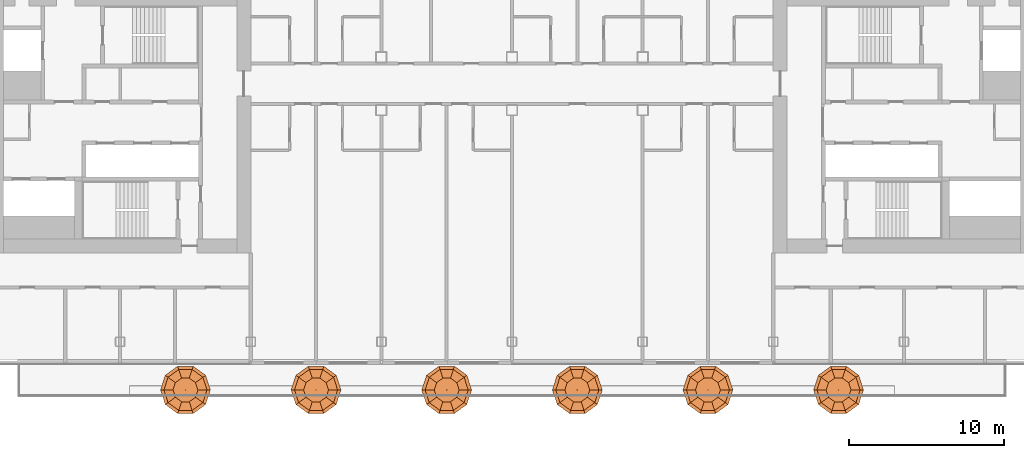
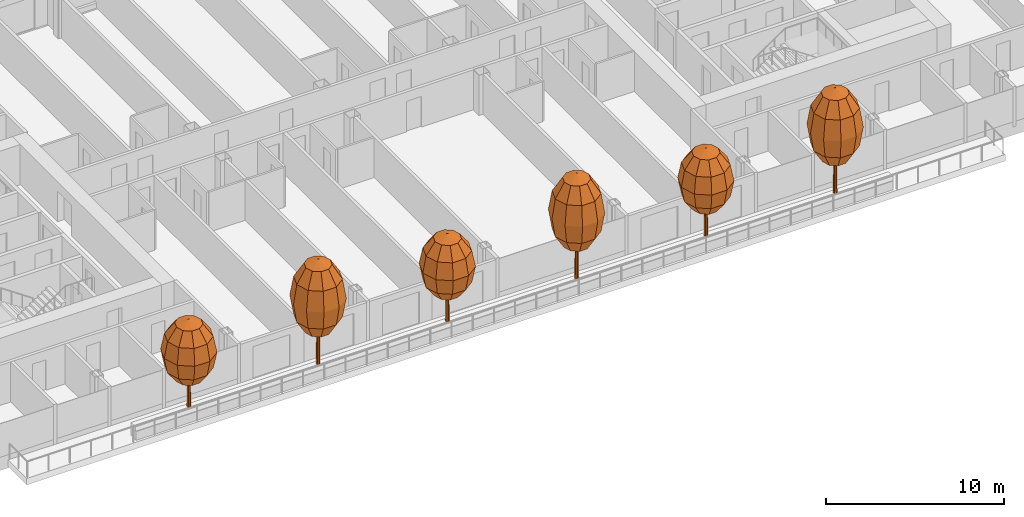
# One storey, part 28 of 29: 6 geographic elements.
"""IFC4 building model written with IfcOpenShell, lengths in metres."""

from ifc_helpers import new_model, si_unit, direction, frame, origin, place, context, subcontext, project, spatial, triangles, material, type_object, element, save


model = new_model("IFC4")

# Units and contexts
model_context = context("Model", 3, precision=1e-05, world=origin(), true_north=direction((0.0, 1.0)))
body_context = subcontext(model_context, "Body", "Model", "MODEL_VIEW")
ifc_project = project(units=[si_unit("LENGTHUNIT", "METRE"), si_unit("AREAUNIT", "SQUARE_METRE"), si_unit("VOLUMEUNIT", "CUBIC_METRE"), si_unit("PLANEANGLEUNIT", "RADIAN"), si_unit("MASSUNIT", "GRAM", prefix="KILO")], contexts=[model_context])

# Site, building, storey
site_placement = place(None, origin())
site = spatial("IfcSite", under=ifc_project, at=site_placement, CompositionType="ELEMENT")
building_placement = place(site_placement, origin())
building = spatial("IfcBuilding", under=site, at=building_placement, Name="Hakoniwa Tower and Hamabe Station Hall", CompositionType="ELEMENT")
storey_placement = place(building_placement, frame((0.0, 0.0, 205.800048828125)))
storey = spatial("IfcBuildingStorey", under=building, at=storey_placement, Name="L58", CompositionType="ELEMENT", Elevation=205.800048828125)

# Geographic elements
ifc_material_1 = material(Name="Tree foliage")
geographic_element_type_1 = type_object("IfcGeographicElementType", Name="Japanese maple 7.2 m", PredefinedType="USERDEFINED", material=ifc_material_1)
geographic_element_1_placement = place(storey_placement, frame((-12.60009765625, -17.199951171875, 0.89990234375)))
element("IfcGeographicElement", 1, at=geographic_element_1_placement, inside=storey, type_object=geographic_element_type_1, Name="Japanese maple 7-2 m", ObjectType="TREE", PredefinedType="USERDEFINED", context=body_context, shape_type="Tessellation", body=[
    triangles([(0.125, 0.0, 0.0), (0.08837890625, 0.08837890625, 0.0), (0.0, 0.125, 0.0), (-0.08837890625, 0.08837890625, 0.0), (-0.125, 0.0, 0.0), (-0.08837890625, -0.08837890625, 0.0), (0.0, -0.125, 0.0), (0.08837890625, -0.08837890625, 0.0), (0.074951171875, 0.0, 4.348876953125), (0.052978515625, 0.052978515625, 4.348876953125), (0.0, 0.074951171875, 4.348876953125), (-0.052978515625, 0.052978515625, 4.348876953125), (-0.074951171875, 0.0, 4.348876953125), (-0.052978515625, -0.052978515625, 4.348876953125), (0.0, -0.074951171875, 4.348876953125), (0.052978515625, -0.052978515625, 4.348876953125), (0.0, 0.0, 0.0), (0.0, 0.0, 4.348876953125)], [[1, 2, 10], [1, 10, 9], [17, 2, 1], [18, 9, 10], [2, 3, 11], [2, 11, 10], [17, 3, 2], [18, 10, 11], [3, 4, 12], [3, 12, 11], [17, 4, 3], [18, 11, 12], [4, 5, 13], [4, 13, 12], [17, 5, 4], [18, 12, 13], [5, 6, 14], [5, 14, 13], [17, 6, 5], [18, 13, 14], [6, 7, 15], [6, 15, 14], [17, 7, 6], [18, 14, 15], [7, 8, 16], [7, 16, 15], [17, 8, 7], [18, 15, 16], [8, 1, 9], [8, 9, 16], [17, 1, 8], [18, 16, 9]], closed=True),
    triangles([(0.0, 0.0, 2.015869140625), (0.800048828125, 0.0, 2.36328125), (0.647216796875, 0.47021484375, 2.36328125), (0.247314453125, 0.7607421875, 2.36328125), (-0.247314453125, 0.7607421875, 2.36328125), (-0.647216796875, 0.47021484375, 2.36328125), (-0.800048828125, 0.0, 2.36328125), (-0.647216796875, -0.47021484375, 2.36328125), (-0.247314453125, -0.7607421875, 2.36328125), (0.247314453125, -0.7607421875, 2.36328125), (0.647216796875, -0.47021484375, 2.36328125), (1.385498046875, 0.0, 3.31201171875), (1.12109375, 0.814453125, 3.31201171875), (0.42822265625, 1.31787109375, 3.31201171875), (-0.42822265625, 1.31787109375, 3.31201171875), (-1.12109375, 0.814453125, 3.31201171875), (-1.385498046875, 0.0, 3.31201171875), (-1.12109375, -0.814453125, 3.31201171875), (-0.42822265625, -1.31787109375, 3.31201171875), (0.42822265625, -1.31787109375, 3.31201171875), (1.12109375, -0.814453125, 3.31201171875), (1.60009765625, 0.0, 4.60791015625), (1.29443359375, 0.9404296875, 4.60791015625), (0.494384765625, 1.521728515625, 4.60791015625), (-0.494384765625, 1.521728515625, 4.60791015625), (-1.29443359375, 0.9404296875, 4.60791015625), (-1.60009765625, 0.0, 4.60791015625), (-1.29443359375, -0.9404296875, 4.60791015625), (-0.494384765625, -1.521728515625, 4.60791015625), (0.494384765625, -1.521728515625, 4.60791015625), (1.29443359375, -0.9404296875, 4.60791015625), (1.385498046875, 0.0, 5.904052734375), (1.12109375, 0.814453125, 5.904052734375), (0.42822265625, 1.31787109375, 5.904052734375), (-0.42822265625, 1.31787109375, 5.904052734375), (-1.12109375, 0.814453125, 5.904052734375), (-1.385498046875, 0.0, 5.904052734375), (-1.12109375, -0.814453125, 5.904052734375), (-0.42822265625, -1.31787109375, 5.904052734375), (0.42822265625, -1.31787109375, 5.904052734375), (1.12109375, -0.814453125, 5.904052734375), (0.800048828125, 0.0, 6.852783203125), (0.647216796875, 0.47021484375, 6.852783203125), (0.247314453125, 0.7607421875, 6.852783203125), (-0.247314453125, 0.7607421875, 6.852783203125), (-0.647216796875, 0.47021484375, 6.852783203125), (-0.800048828125, 0.0, 6.852783203125), (-0.647216796875, -0.47021484375, 6.852783203125), (-0.247314453125, -0.7607421875, 6.852783203125), (0.247314453125, -0.7607421875, 6.852783203125), (0.647216796875, -0.47021484375, 6.852783203125), (0.0, 0.0, 7.199951171875)], [[1, 3, 2], [1, 4, 3], [1, 5, 4], [1, 6, 5], [1, 7, 6], [1, 8, 7], [1, 9, 8], [1, 10, 9], [1, 11, 10], [1, 2, 11], [2, 3, 13], [2, 13, 12], [3, 4, 14], [3, 14, 13], [4, 5, 15], [4, 15, 14], [5, 6, 16], [5, 16, 15], [6, 7, 17], [6, 17, 16], [7, 8, 18], [7, 18, 17], [8, 9, 19], [8, 19, 18], [9, 10, 20], [9, 20, 19], [10, 11, 21], [10, 21, 20], [11, 2, 12], [11, 12, 21], [12, 13, 23], [12, 23, 22], [13, 14, 24], [13, 24, 23], [14, 15, 25], [14, 25, 24], [15, 16, 26], [15, 26, 25], [16, 17, 27], [16, 27, 26], [17, 18, 28], [17, 28, 27], [18, 19, 29], [18, 29, 28], [19, 20, 30], [19, 30, 29], [20, 21, 31], [20, 31, 30], [21, 12, 22], [21, 22, 31], [22, 23, 33], [22, 33, 32], [23, 24, 34], [23, 34, 33], [24, 25, 35], [24, 35, 34], [25, 26, 36], [25, 36, 35], [26, 27, 37], [26, 37, 36], [27, 28, 38], [27, 38, 37], [28, 29, 39], [28, 39, 38], [29, 30, 40], [29, 40, 39], [30, 31, 41], [30, 41, 40], [31, 22, 32], [31, 32, 41], [32, 33, 43], [32, 43, 42], [33, 34, 44], [33, 44, 43], [34, 35, 45], [34, 45, 44], [35, 36, 46], [35, 46, 45], [36, 37, 47], [36, 47, 46], [37, 38, 48], [37, 48, 47], [38, 39, 49], [38, 49, 48], [39, 40, 50], [39, 50, 49], [40, 41, 51], [40, 51, 50], [41, 32, 42], [41, 42, 51], [52, 42, 43], [52, 43, 44], [52, 44, 45], [52, 45, 46], [52, 46, 47], [52, 47, 48], [52, 48, 49], [52, 49, 50], [52, 50, 51], [52, 51, 42]], closed=True),
])
geographic_element_2_placement = place(storey_placement, frame((4.199951171875, -17.199951171875, 0.89990234375)))
element("IfcGeographicElement", 2, at=geographic_element_2_placement, inside=storey, type_object=geographic_element_type_1, Name="Japanese maple 7-2 m", ObjectType="TREE", PredefinedType="USERDEFINED", context=body_context, shape_type="Tessellation", body=[
    triangles([(0.125, 0.0, 0.0), (0.08837890625, 0.08837890625, 0.0), (0.0, 0.125, 0.0), (-0.08837890625, 0.08837890625, 0.0), (-0.125, 0.0, 0.0), (-0.08837890625, -0.08837890625, 0.0), (0.0, -0.125, 0.0), (0.08837890625, -0.08837890625, 0.0), (0.074951171875, 0.0, 4.348876953125), (0.052978515625, 0.052978515625, 4.348876953125), (0.0, 0.074951171875, 4.348876953125), (-0.052978515625, 0.052978515625, 4.348876953125), (-0.074951171875, 0.0, 4.348876953125), (-0.052978515625, -0.052978515625, 4.348876953125), (0.0, -0.074951171875, 4.348876953125), (0.052978515625, -0.052978515625, 4.348876953125), (0.0, 0.0, 0.0), (0.0, 0.0, 4.348876953125)], [[1, 2, 10], [1, 10, 9], [17, 2, 1], [18, 9, 10], [2, 3, 11], [2, 11, 10], [17, 3, 2], [18, 10, 11], [3, 4, 12], [3, 12, 11], [17, 4, 3], [18, 11, 12], [4, 5, 13], [4, 13, 12], [17, 5, 4], [18, 12, 13], [5, 6, 14], [5, 14, 13], [17, 6, 5], [18, 13, 14], [6, 7, 15], [6, 15, 14], [17, 7, 6], [18, 14, 15], [7, 8, 16], [7, 16, 15], [17, 8, 7], [18, 15, 16], [8, 1, 9], [8, 9, 16], [17, 1, 8], [18, 16, 9]], closed=True),
    triangles([(0.0, 0.0, 2.015869140625), (0.800048828125, 0.0, 2.36328125), (0.647216796875, 0.47021484375, 2.36328125), (0.247314453125, 0.7607421875, 2.36328125), (-0.247314453125, 0.7607421875, 2.36328125), (-0.647216796875, 0.47021484375, 2.36328125), (-0.800048828125, 0.0, 2.36328125), (-0.647216796875, -0.47021484375, 2.36328125), (-0.247314453125, -0.7607421875, 2.36328125), (0.247314453125, -0.7607421875, 2.36328125), (0.647216796875, -0.47021484375, 2.36328125), (1.385498046875, 0.0, 3.31201171875), (1.12109375, 0.814453125, 3.31201171875), (0.42822265625, 1.31787109375, 3.31201171875), (-0.42822265625, 1.31787109375, 3.31201171875), (-1.12109375, 0.814453125, 3.31201171875), (-1.385498046875, 0.0, 3.31201171875), (-1.12109375, -0.814453125, 3.31201171875), (-0.42822265625, -1.31787109375, 3.31201171875), (0.42822265625, -1.31787109375, 3.31201171875), (1.12109375, -0.814453125, 3.31201171875), (1.60009765625, 0.0, 4.60791015625), (1.29443359375, 0.9404296875, 4.60791015625), (0.494384765625, 1.521728515625, 4.60791015625), (-0.494384765625, 1.521728515625, 4.60791015625), (-1.29443359375, 0.9404296875, 4.60791015625), (-1.60009765625, 0.0, 4.60791015625), (-1.29443359375, -0.9404296875, 4.60791015625), (-0.494384765625, -1.521728515625, 4.60791015625), (0.494384765625, -1.521728515625, 4.60791015625), (1.29443359375, -0.9404296875, 4.60791015625), (1.385498046875, 0.0, 5.904052734375), (1.12109375, 0.814453125, 5.904052734375), (0.42822265625, 1.31787109375, 5.904052734375), (-0.42822265625, 1.31787109375, 5.904052734375), (-1.12109375, 0.814453125, 5.904052734375), (-1.385498046875, 0.0, 5.904052734375), (-1.12109375, -0.814453125, 5.904052734375), (-0.42822265625, -1.31787109375, 5.904052734375), (0.42822265625, -1.31787109375, 5.904052734375), (1.12109375, -0.814453125, 5.904052734375), (0.800048828125, 0.0, 6.852783203125), (0.647216796875, 0.47021484375, 6.852783203125), (0.247314453125, 0.7607421875, 6.852783203125), (-0.247314453125, 0.7607421875, 6.852783203125), (-0.647216796875, 0.47021484375, 6.852783203125), (-0.800048828125, 0.0, 6.852783203125), (-0.647216796875, -0.47021484375, 6.852783203125), (-0.247314453125, -0.7607421875, 6.852783203125), (0.247314453125, -0.7607421875, 6.852783203125), (0.647216796875, -0.47021484375, 6.852783203125), (0.0, 0.0, 7.199951171875)], [[1, 3, 2], [1, 4, 3], [1, 5, 4], [1, 6, 5], [1, 7, 6], [1, 8, 7], [1, 9, 8], [1, 10, 9], [1, 11, 10], [1, 2, 11], [2, 3, 13], [2, 13, 12], [3, 4, 14], [3, 14, 13], [4, 5, 15], [4, 15, 14], [5, 6, 16], [5, 16, 15], [6, 7, 17], [6, 17, 16], [7, 8, 18], [7, 18, 17], [8, 9, 19], [8, 19, 18], [9, 10, 20], [9, 20, 19], [10, 11, 21], [10, 21, 20], [11, 2, 12], [11, 12, 21], [12, 13, 23], [12, 23, 22], [13, 14, 24], [13, 24, 23], [14, 15, 25], [14, 25, 24], [15, 16, 26], [15, 26, 25], [16, 17, 27], [16, 27, 26], [17, 18, 28], [17, 28, 27], [18, 19, 29], [18, 29, 28], [19, 20, 30], [19, 30, 29], [20, 21, 31], [20, 31, 30], [21, 12, 22], [21, 22, 31], [22, 23, 33], [22, 33, 32], [23, 24, 34], [23, 34, 33], [24, 25, 35], [24, 35, 34], [25, 26, 36], [25, 36, 35], [26, 27, 37], [26, 37, 36], [27, 28, 38], [27, 38, 37], [28, 29, 39], [28, 39, 38], [29, 30, 40], [29, 40, 39], [30, 31, 41], [30, 41, 40], [31, 22, 32], [31, 32, 41], [32, 33, 43], [32, 43, 42], [33, 34, 44], [33, 44, 43], [34, 35, 45], [34, 45, 44], [35, 36, 46], [35, 46, 45], [36, 37, 47], [36, 47, 46], [37, 38, 48], [37, 48, 47], [38, 39, 49], [38, 49, 48], [39, 40, 50], [39, 50, 49], [40, 41, 51], [40, 51, 50], [41, 32, 42], [41, 42, 51], [52, 42, 43], [52, 43, 44], [52, 44, 45], [52, 45, 46], [52, 46, 47], [52, 47, 48], [52, 48, 49], [52, 49, 50], [52, 50, 51], [52, 51, 42]], closed=True),
])
geographic_element_3_placement = place(storey_placement, frame((21.0, -17.199951171875, 0.89990234375)))
element("IfcGeographicElement", 3, at=geographic_element_3_placement, inside=storey, type_object=geographic_element_type_1, Name="Japanese maple 7-2 m", ObjectType="TREE", PredefinedType="USERDEFINED", context=body_context, shape_type="Tessellation", body=[
    triangles([(0.125, 0.0, 0.0), (0.08837890625, 0.08837890625, 0.0), (0.0, 0.125, 0.0), (-0.08837890625, 0.08837890625, 0.0), (-0.125, 0.0, 0.0), (-0.08837890625, -0.08837890625, 0.0), (0.0, -0.125, 0.0), (0.08837890625, -0.08837890625, 0.0), (0.074951171875, 0.0, 4.348876953125), (0.052978515625, 0.052978515625, 4.348876953125), (0.0, 0.074951171875, 4.348876953125), (-0.052978515625, 0.052978515625, 4.348876953125), (-0.074951171875, 0.0, 4.348876953125), (-0.052978515625, -0.052978515625, 4.348876953125), (0.0, -0.074951171875, 4.348876953125), (0.052978515625, -0.052978515625, 4.348876953125), (0.0, 0.0, 0.0), (0.0, 0.0, 4.348876953125)], [[1, 2, 10], [1, 10, 9], [17, 2, 1], [18, 9, 10], [2, 3, 11], [2, 11, 10], [17, 3, 2], [18, 10, 11], [3, 4, 12], [3, 12, 11], [17, 4, 3], [18, 11, 12], [4, 5, 13], [4, 13, 12], [17, 5, 4], [18, 12, 13], [5, 6, 14], [5, 14, 13], [17, 6, 5], [18, 13, 14], [6, 7, 15], [6, 15, 14], [17, 7, 6], [18, 14, 15], [7, 8, 16], [7, 16, 15], [17, 8, 7], [18, 15, 16], [8, 1, 9], [8, 9, 16], [17, 1, 8], [18, 16, 9]], closed=True),
    triangles([(0.0, 0.0, 2.015869140625), (0.800048828125, 0.0, 2.36328125), (0.647216796875, 0.47021484375, 2.36328125), (0.247314453125, 0.7607421875, 2.36328125), (-0.247314453125, 0.7607421875, 2.36328125), (-0.647216796875, 0.47021484375, 2.36328125), (-0.800048828125, 0.0, 2.36328125), (-0.647216796875, -0.47021484375, 2.36328125), (-0.247314453125, -0.7607421875, 2.36328125), (0.247314453125, -0.7607421875, 2.36328125), (0.647216796875, -0.47021484375, 2.36328125), (1.385498046875, 0.0, 3.31201171875), (1.12109375, 0.814453125, 3.31201171875), (0.42822265625, 1.31787109375, 3.31201171875), (-0.42822265625, 1.31787109375, 3.31201171875), (-1.12109375, 0.814453125, 3.31201171875), (-1.385498046875, 0.0, 3.31201171875), (-1.12109375, -0.814453125, 3.31201171875), (-0.42822265625, -1.31787109375, 3.31201171875), (0.42822265625, -1.31787109375, 3.31201171875), (1.12109375, -0.814453125, 3.31201171875), (1.60009765625, 0.0, 4.60791015625), (1.29443359375, 0.9404296875, 4.60791015625), (0.494384765625, 1.521728515625, 4.60791015625), (-0.494384765625, 1.521728515625, 4.60791015625), (-1.29443359375, 0.9404296875, 4.60791015625), (-1.60009765625, 0.0, 4.60791015625), (-1.29443359375, -0.9404296875, 4.60791015625), (-0.494384765625, -1.521728515625, 4.60791015625), (0.494384765625, -1.521728515625, 4.60791015625), (1.29443359375, -0.9404296875, 4.60791015625), (1.385498046875, 0.0, 5.904052734375), (1.12109375, 0.814453125, 5.904052734375), (0.42822265625, 1.31787109375, 5.904052734375), (-0.42822265625, 1.31787109375, 5.904052734375), (-1.12109375, 0.814453125, 5.904052734375), (-1.385498046875, 0.0, 5.904052734375), (-1.12109375, -0.814453125, 5.904052734375), (-0.42822265625, -1.31787109375, 5.904052734375), (0.42822265625, -1.31787109375, 5.904052734375), (1.12109375, -0.814453125, 5.904052734375), (0.800048828125, 0.0, 6.852783203125), (0.647216796875, 0.47021484375, 6.852783203125), (0.247314453125, 0.7607421875, 6.852783203125), (-0.247314453125, 0.7607421875, 6.852783203125), (-0.647216796875, 0.47021484375, 6.852783203125), (-0.800048828125, 0.0, 6.852783203125), (-0.647216796875, -0.47021484375, 6.852783203125), (-0.247314453125, -0.7607421875, 6.852783203125), (0.247314453125, -0.7607421875, 6.852783203125), (0.647216796875, -0.47021484375, 6.852783203125), (0.0, 0.0, 7.199951171875)], [[1, 3, 2], [1, 4, 3], [1, 5, 4], [1, 6, 5], [1, 7, 6], [1, 8, 7], [1, 9, 8], [1, 10, 9], [1, 11, 10], [1, 2, 11], [2, 3, 13], [2, 13, 12], [3, 4, 14], [3, 14, 13], [4, 5, 15], [4, 15, 14], [5, 6, 16], [5, 16, 15], [6, 7, 17], [6, 17, 16], [7, 8, 18], [7, 18, 17], [8, 9, 19], [8, 19, 18], [9, 10, 20], [9, 20, 19], [10, 11, 21], [10, 21, 20], [11, 2, 12], [11, 12, 21], [12, 13, 23], [12, 23, 22], [13, 14, 24], [13, 24, 23], [14, 15, 25], [14, 25, 24], [15, 16, 26], [15, 26, 25], [16, 17, 27], [16, 27, 26], [17, 18, 28], [17, 28, 27], [18, 19, 29], [18, 29, 28], [19, 20, 30], [19, 30, 29], [20, 21, 31], [20, 31, 30], [21, 12, 22], [21, 22, 31], [22, 23, 33], [22, 33, 32], [23, 24, 34], [23, 34, 33], [24, 25, 35], [24, 35, 34], [25, 26, 36], [25, 36, 35], [26, 27, 37], [26, 37, 36], [27, 28, 38], [27, 38, 37], [28, 29, 39], [28, 39, 38], [29, 30, 40], [29, 40, 39], [30, 31, 41], [30, 41, 40], [31, 22, 32], [31, 32, 41], [32, 33, 43], [32, 43, 42], [33, 34, 44], [33, 44, 43], [34, 35, 45], [34, 45, 44], [35, 36, 46], [35, 46, 45], [36, 37, 47], [36, 47, 46], [37, 38, 48], [37, 48, 47], [38, 39, 49], [38, 49, 48], [39, 40, 50], [39, 50, 49], [40, 41, 51], [40, 51, 50], [41, 32, 42], [41, 42, 51], [52, 42, 43], [52, 43, 44], [52, 44, 45], [52, 45, 46], [52, 46, 47], [52, 47, 48], [52, 48, 49], [52, 49, 50], [52, 50, 51], [52, 51, 42]], closed=True),
])
ifc_material_2 = material(Name="Tree foliage")
geographic_element_type_2 = type_object("IfcGeographicElementType", Name="Osmanthus 6.0 m", PredefinedType="USERDEFINED", material=ifc_material_2)
geographic_element_4_placement = place(storey_placement, frame((-21.0, -17.199951171875, 0.89990234375)))
element("IfcGeographicElement", 4, at=geographic_element_4_placement, inside=storey, type_object=geographic_element_type_2, Name="Osmanthus 6-0 m", ObjectType="TREE", PredefinedType="USERDEFINED", context=body_context, shape_type="Tessellation", body=[
    triangles([(0.125, 0.0, 0.0), (0.08837890625, 0.08837890625, 0.0), (0.0, 0.125, 0.0), (-0.08837890625, 0.08837890625, 0.0), (-0.125, 0.0, 0.0), (-0.08837890625, -0.08837890625, 0.0), (0.0, -0.125, 0.0), (0.08837890625, -0.08837890625, 0.0), (0.074951171875, 0.0, 3.6240234375), (0.052978515625, 0.052978515625, 3.6240234375), (0.0, 0.074951171875, 3.6240234375), (-0.052978515625, 0.052978515625, 3.6240234375), (-0.074951171875, 0.0, 3.6240234375), (-0.052978515625, -0.052978515625, 3.6240234375), (0.0, -0.074951171875, 3.6240234375), (0.052978515625, -0.052978515625, 3.6240234375), (0.0, 0.0, 0.0), (0.0, 0.0, 3.6240234375)], [[1, 2, 10], [1, 10, 9], [17, 2, 1], [18, 9, 10], [2, 3, 11], [2, 11, 10], [17, 3, 2], [18, 10, 11], [3, 4, 12], [3, 12, 11], [17, 4, 3], [18, 11, 12], [4, 5, 13], [4, 13, 12], [17, 5, 4], [18, 12, 13], [5, 6, 14], [5, 14, 13], [17, 6, 5], [18, 13, 14], [6, 7, 15], [6, 15, 14], [17, 7, 6], [18, 14, 15], [7, 8, 16], [7, 16, 15], [17, 8, 7], [18, 15, 16], [8, 1, 9], [8, 9, 16], [17, 1, 8], [18, 16, 9]], closed=True),
    triangles([(0.0, 0.0, 1.679931640625), (0.800048828125, 0.0, 1.969482421875), (0.647216796875, 0.47021484375, 1.969482421875), (0.247314453125, 0.7607421875, 1.969482421875), (-0.247314453125, 0.7607421875, 1.969482421875), (-0.647216796875, 0.47021484375, 1.969482421875), (-0.800048828125, 0.0, 1.969482421875), (-0.647216796875, -0.47021484375, 1.969482421875), (-0.247314453125, -0.7607421875, 1.969482421875), (0.247314453125, -0.7607421875, 1.969482421875), (0.647216796875, -0.47021484375, 1.969482421875), (1.385498046875, 0.0, 2.760009765625), (1.12109375, 0.814453125, 2.760009765625), (0.42822265625, 1.31787109375, 2.760009765625), (-0.42822265625, 1.31787109375, 2.760009765625), (-1.12109375, 0.814453125, 2.760009765625), (-1.385498046875, 0.0, 2.760009765625), (-1.12109375, -0.814453125, 2.760009765625), (-0.42822265625, -1.31787109375, 2.760009765625), (0.42822265625, -1.31787109375, 2.760009765625), (1.12109375, -0.814453125, 2.760009765625), (1.60009765625, 0.0, 3.840087890625), (1.29443359375, 0.9404296875, 3.840087890625), (0.494384765625, 1.521728515625, 3.840087890625), (-0.494384765625, 1.521728515625, 3.840087890625), (-1.29443359375, 0.9404296875, 3.840087890625), (-1.60009765625, 0.0, 3.840087890625), (-1.29443359375, -0.9404296875, 3.840087890625), (-0.494384765625, -1.521728515625, 3.840087890625), (0.494384765625, -1.521728515625, 3.840087890625), (1.29443359375, -0.9404296875, 3.840087890625), (1.385498046875, 0.0, 4.919921875), (1.12109375, 0.814453125, 4.919921875), (0.42822265625, 1.31787109375, 4.919921875), (-0.42822265625, 1.31787109375, 4.919921875), (-1.12109375, 0.814453125, 4.919921875), (-1.385498046875, 0.0, 4.919921875), (-1.12109375, -0.814453125, 4.919921875), (-0.42822265625, -1.31787109375, 4.919921875), (0.42822265625, -1.31787109375, 4.919921875), (1.12109375, -0.814453125, 4.919921875), (0.800048828125, 0.0, 5.710693359375), (0.647216796875, 0.47021484375, 5.710693359375), (0.247314453125, 0.7607421875, 5.710693359375), (-0.247314453125, 0.7607421875, 5.710693359375), (-0.647216796875, 0.47021484375, 5.710693359375), (-0.800048828125, 0.0, 5.710693359375), (-0.647216796875, -0.47021484375, 5.710693359375), (-0.247314453125, -0.7607421875, 5.710693359375), (0.247314453125, -0.7607421875, 5.710693359375), (0.647216796875, -0.47021484375, 5.710693359375), (0.0, 0.0, 6.0)], [[1, 3, 2], [1, 4, 3], [1, 5, 4], [1, 6, 5], [1, 7, 6], [1, 8, 7], [1, 9, 8], [1, 10, 9], [1, 11, 10], [1, 2, 11], [2, 3, 13], [2, 13, 12], [3, 4, 14], [3, 14, 13], [4, 5, 15], [4, 15, 14], [5, 6, 16], [5, 16, 15], [6, 7, 17], [6, 17, 16], [7, 8, 18], [7, 18, 17], [8, 9, 19], [8, 19, 18], [9, 10, 20], [9, 20, 19], [10, 11, 21], [10, 21, 20], [11, 2, 12], [11, 12, 21], [12, 13, 23], [12, 23, 22], [13, 14, 24], [13, 24, 23], [14, 15, 25], [14, 25, 24], [15, 16, 26], [15, 26, 25], [16, 17, 27], [16, 27, 26], [17, 18, 28], [17, 28, 27], [18, 19, 29], [18, 29, 28], [19, 20, 30], [19, 30, 29], [20, 21, 31], [20, 31, 30], [21, 12, 22], [21, 22, 31], [22, 23, 33], [22, 33, 32], [23, 24, 34], [23, 34, 33], [24, 25, 35], [24, 35, 34], [25, 26, 36], [25, 36, 35], [26, 27, 37], [26, 37, 36], [27, 28, 38], [27, 38, 37], [28, 29, 39], [28, 39, 38], [29, 30, 40], [29, 40, 39], [30, 31, 41], [30, 41, 40], [31, 22, 32], [31, 32, 41], [32, 33, 43], [32, 43, 42], [33, 34, 44], [33, 44, 43], [34, 35, 45], [34, 45, 44], [35, 36, 46], [35, 46, 45], [36, 37, 47], [36, 47, 46], [37, 38, 48], [37, 48, 47], [38, 39, 49], [38, 49, 48], [39, 40, 50], [39, 50, 49], [40, 41, 51], [40, 51, 50], [41, 32, 42], [41, 42, 51], [52, 42, 43], [52, 43, 44], [52, 44, 45], [52, 45, 46], [52, 46, 47], [52, 47, 48], [52, 48, 49], [52, 49, 50], [52, 50, 51], [52, 51, 42]], closed=True),
])
geographic_element_5_placement = place(storey_placement, frame((-4.199951171875, -17.199951171875, 0.89990234375)))
element("IfcGeographicElement", 5, at=geographic_element_5_placement, inside=storey, type_object=geographic_element_type_2, Name="Osmanthus 6-0 m", ObjectType="TREE", PredefinedType="USERDEFINED", context=body_context, shape_type="Tessellation", body=[
    triangles([(0.125, 0.0, 0.0), (0.08837890625, 0.08837890625, 0.0), (0.0, 0.125, 0.0), (-0.08837890625, 0.08837890625, 0.0), (-0.125, 0.0, 0.0), (-0.08837890625, -0.08837890625, 0.0), (0.0, -0.125, 0.0), (0.08837890625, -0.08837890625, 0.0), (0.074951171875, 0.0, 3.6240234375), (0.052978515625, 0.052978515625, 3.6240234375), (0.0, 0.074951171875, 3.6240234375), (-0.052978515625, 0.052978515625, 3.6240234375), (-0.074951171875, 0.0, 3.6240234375), (-0.052978515625, -0.052978515625, 3.6240234375), (0.0, -0.074951171875, 3.6240234375), (0.052978515625, -0.052978515625, 3.6240234375), (0.0, 0.0, 0.0), (0.0, 0.0, 3.6240234375)], [[1, 2, 10], [1, 10, 9], [17, 2, 1], [18, 9, 10], [2, 3, 11], [2, 11, 10], [17, 3, 2], [18, 10, 11], [3, 4, 12], [3, 12, 11], [17, 4, 3], [18, 11, 12], [4, 5, 13], [4, 13, 12], [17, 5, 4], [18, 12, 13], [5, 6, 14], [5, 14, 13], [17, 6, 5], [18, 13, 14], [6, 7, 15], [6, 15, 14], [17, 7, 6], [18, 14, 15], [7, 8, 16], [7, 16, 15], [17, 8, 7], [18, 15, 16], [8, 1, 9], [8, 9, 16], [17, 1, 8], [18, 16, 9]], closed=True),
    triangles([(0.0, 0.0, 1.679931640625), (0.800048828125, 0.0, 1.969482421875), (0.647216796875, 0.47021484375, 1.969482421875), (0.247314453125, 0.7607421875, 1.969482421875), (-0.247314453125, 0.7607421875, 1.969482421875), (-0.647216796875, 0.47021484375, 1.969482421875), (-0.800048828125, 0.0, 1.969482421875), (-0.647216796875, -0.47021484375, 1.969482421875), (-0.247314453125, -0.7607421875, 1.969482421875), (0.247314453125, -0.7607421875, 1.969482421875), (0.647216796875, -0.47021484375, 1.969482421875), (1.385498046875, 0.0, 2.760009765625), (1.12109375, 0.814453125, 2.760009765625), (0.42822265625, 1.31787109375, 2.760009765625), (-0.42822265625, 1.31787109375, 2.760009765625), (-1.12109375, 0.814453125, 2.760009765625), (-1.385498046875, 0.0, 2.760009765625), (-1.12109375, -0.814453125, 2.760009765625), (-0.42822265625, -1.31787109375, 2.760009765625), (0.42822265625, -1.31787109375, 2.760009765625), (1.12109375, -0.814453125, 2.760009765625), (1.60009765625, 0.0, 3.840087890625), (1.29443359375, 0.9404296875, 3.840087890625), (0.494384765625, 1.521728515625, 3.840087890625), (-0.494384765625, 1.521728515625, 3.840087890625), (-1.29443359375, 0.9404296875, 3.840087890625), (-1.60009765625, 0.0, 3.840087890625), (-1.29443359375, -0.9404296875, 3.840087890625), (-0.494384765625, -1.521728515625, 3.840087890625), (0.494384765625, -1.521728515625, 3.840087890625), (1.29443359375, -0.9404296875, 3.840087890625), (1.385498046875, 0.0, 4.919921875), (1.12109375, 0.814453125, 4.919921875), (0.42822265625, 1.31787109375, 4.919921875), (-0.42822265625, 1.31787109375, 4.919921875), (-1.12109375, 0.814453125, 4.919921875), (-1.385498046875, 0.0, 4.919921875), (-1.12109375, -0.814453125, 4.919921875), (-0.42822265625, -1.31787109375, 4.919921875), (0.42822265625, -1.31787109375, 4.919921875), (1.12109375, -0.814453125, 4.919921875), (0.800048828125, 0.0, 5.710693359375), (0.647216796875, 0.47021484375, 5.710693359375), (0.247314453125, 0.7607421875, 5.710693359375), (-0.247314453125, 0.7607421875, 5.710693359375), (-0.647216796875, 0.47021484375, 5.710693359375), (-0.800048828125, 0.0, 5.710693359375), (-0.647216796875, -0.47021484375, 5.710693359375), (-0.247314453125, -0.7607421875, 5.710693359375), (0.247314453125, -0.7607421875, 5.710693359375), (0.647216796875, -0.47021484375, 5.710693359375), (0.0, 0.0, 6.0)], [[1, 3, 2], [1, 4, 3], [1, 5, 4], [1, 6, 5], [1, 7, 6], [1, 8, 7], [1, 9, 8], [1, 10, 9], [1, 11, 10], [1, 2, 11], [2, 3, 13], [2, 13, 12], [3, 4, 14], [3, 14, 13], [4, 5, 15], [4, 15, 14], [5, 6, 16], [5, 16, 15], [6, 7, 17], [6, 17, 16], [7, 8, 18], [7, 18, 17], [8, 9, 19], [8, 19, 18], [9, 10, 20], [9, 20, 19], [10, 11, 21], [10, 21, 20], [11, 2, 12], [11, 12, 21], [12, 13, 23], [12, 23, 22], [13, 14, 24], [13, 24, 23], [14, 15, 25], [14, 25, 24], [15, 16, 26], [15, 26, 25], [16, 17, 27], [16, 27, 26], [17, 18, 28], [17, 28, 27], [18, 19, 29], [18, 29, 28], [19, 20, 30], [19, 30, 29], [20, 21, 31], [20, 31, 30], [21, 12, 22], [21, 22, 31], [22, 23, 33], [22, 33, 32], [23, 24, 34], [23, 34, 33], [24, 25, 35], [24, 35, 34], [25, 26, 36], [25, 36, 35], [26, 27, 37], [26, 37, 36], [27, 28, 38], [27, 38, 37], [28, 29, 39], [28, 39, 38], [29, 30, 40], [29, 40, 39], [30, 31, 41], [30, 41, 40], [31, 22, 32], [31, 32, 41], [32, 33, 43], [32, 43, 42], [33, 34, 44], [33, 44, 43], [34, 35, 45], [34, 45, 44], [35, 36, 46], [35, 46, 45], [36, 37, 47], [36, 47, 46], [37, 38, 48], [37, 48, 47], [38, 39, 49], [38, 49, 48], [39, 40, 50], [39, 50, 49], [40, 41, 51], [40, 51, 50], [41, 32, 42], [41, 42, 51], [52, 42, 43], [52, 43, 44], [52, 44, 45], [52, 45, 46], [52, 46, 47], [52, 47, 48], [52, 48, 49], [52, 49, 50], [52, 50, 51], [52, 51, 42]], closed=True),
])
geographic_element_6_placement = place(storey_placement, frame((12.60009765625, -17.199951171875, 0.89990234375)))
element("IfcGeographicElement", 6, at=geographic_element_6_placement, inside=storey, type_object=geographic_element_type_2, Name="Osmanthus 6-0 m", ObjectType="TREE", PredefinedType="USERDEFINED", context=body_context, shape_type="Tessellation", body=[
    triangles([(0.125, 0.0, 0.0), (0.08837890625, 0.08837890625, 0.0), (0.0, 0.125, 0.0), (-0.08837890625, 0.08837890625, 0.0), (-0.125, 0.0, 0.0), (-0.08837890625, -0.08837890625, 0.0), (0.0, -0.125, 0.0), (0.08837890625, -0.08837890625, 0.0), (0.074951171875, 0.0, 3.6240234375), (0.052978515625, 0.052978515625, 3.6240234375), (0.0, 0.074951171875, 3.6240234375), (-0.052978515625, 0.052978515625, 3.6240234375), (-0.074951171875, 0.0, 3.6240234375), (-0.052978515625, -0.052978515625, 3.6240234375), (0.0, -0.074951171875, 3.6240234375), (0.052978515625, -0.052978515625, 3.6240234375), (0.0, 0.0, 0.0), (0.0, 0.0, 3.6240234375)], [[1, 2, 10], [1, 10, 9], [17, 2, 1], [18, 9, 10], [2, 3, 11], [2, 11, 10], [17, 3, 2], [18, 10, 11], [3, 4, 12], [3, 12, 11], [17, 4, 3], [18, 11, 12], [4, 5, 13], [4, 13, 12], [17, 5, 4], [18, 12, 13], [5, 6, 14], [5, 14, 13], [17, 6, 5], [18, 13, 14], [6, 7, 15], [6, 15, 14], [17, 7, 6], [18, 14, 15], [7, 8, 16], [7, 16, 15], [17, 8, 7], [18, 15, 16], [8, 1, 9], [8, 9, 16], [17, 1, 8], [18, 16, 9]], closed=True),
    triangles([(0.0, 0.0, 1.679931640625), (0.800048828125, 0.0, 1.969482421875), (0.647216796875, 0.47021484375, 1.969482421875), (0.247314453125, 0.7607421875, 1.969482421875), (-0.247314453125, 0.7607421875, 1.969482421875), (-0.647216796875, 0.47021484375, 1.969482421875), (-0.800048828125, 0.0, 1.969482421875), (-0.647216796875, -0.47021484375, 1.969482421875), (-0.247314453125, -0.7607421875, 1.969482421875), (0.247314453125, -0.7607421875, 1.969482421875), (0.647216796875, -0.47021484375, 1.969482421875), (1.385498046875, 0.0, 2.760009765625), (1.12109375, 0.814453125, 2.760009765625), (0.42822265625, 1.31787109375, 2.760009765625), (-0.42822265625, 1.31787109375, 2.760009765625), (-1.12109375, 0.814453125, 2.760009765625), (-1.385498046875, 0.0, 2.760009765625), (-1.12109375, -0.814453125, 2.760009765625), (-0.42822265625, -1.31787109375, 2.760009765625), (0.42822265625, -1.31787109375, 2.760009765625), (1.12109375, -0.814453125, 2.760009765625), (1.60009765625, 0.0, 3.840087890625), (1.29443359375, 0.9404296875, 3.840087890625), (0.494384765625, 1.521728515625, 3.840087890625), (-0.494384765625, 1.521728515625, 3.840087890625), (-1.29443359375, 0.9404296875, 3.840087890625), (-1.60009765625, 0.0, 3.840087890625), (-1.29443359375, -0.9404296875, 3.840087890625), (-0.494384765625, -1.521728515625, 3.840087890625), (0.494384765625, -1.521728515625, 3.840087890625), (1.29443359375, -0.9404296875, 3.840087890625), (1.385498046875, 0.0, 4.919921875), (1.12109375, 0.814453125, 4.919921875), (0.42822265625, 1.31787109375, 4.919921875), (-0.42822265625, 1.31787109375, 4.919921875), (-1.12109375, 0.814453125, 4.919921875), (-1.385498046875, 0.0, 4.919921875), (-1.12109375, -0.814453125, 4.919921875), (-0.42822265625, -1.31787109375, 4.919921875), (0.42822265625, -1.31787109375, 4.919921875), (1.12109375, -0.814453125, 4.919921875), (0.800048828125, 0.0, 5.710693359375), (0.647216796875, 0.47021484375, 5.710693359375), (0.247314453125, 0.7607421875, 5.710693359375), (-0.247314453125, 0.7607421875, 5.710693359375), (-0.647216796875, 0.47021484375, 5.710693359375), (-0.800048828125, 0.0, 5.710693359375), (-0.647216796875, -0.47021484375, 5.710693359375), (-0.247314453125, -0.7607421875, 5.710693359375), (0.247314453125, -0.7607421875, 5.710693359375), (0.647216796875, -0.47021484375, 5.710693359375), (0.0, 0.0, 6.0)], [[1, 3, 2], [1, 4, 3], [1, 5, 4], [1, 6, 5], [1, 7, 6], [1, 8, 7], [1, 9, 8], [1, 10, 9], [1, 11, 10], [1, 2, 11], [2, 3, 13], [2, 13, 12], [3, 4, 14], [3, 14, 13], [4, 5, 15], [4, 15, 14], [5, 6, 16], [5, 16, 15], [6, 7, 17], [6, 17, 16], [7, 8, 18], [7, 18, 17], [8, 9, 19], [8, 19, 18], [9, 10, 20], [9, 20, 19], [10, 11, 21], [10, 21, 20], [11, 2, 12], [11, 12, 21], [12, 13, 23], [12, 23, 22], [13, 14, 24], [13, 24, 23], [14, 15, 25], [14, 25, 24], [15, 16, 26], [15, 26, 25], [16, 17, 27], [16, 27, 26], [17, 18, 28], [17, 28, 27], [18, 19, 29], [18, 29, 28], [19, 20, 30], [19, 30, 29], [20, 21, 31], [20, 31, 30], [21, 12, 22], [21, 22, 31], [22, 23, 33], [22, 33, 32], [23, 24, 34], [23, 34, 33], [24, 25, 35], [24, 35, 34], [25, 26, 36], [25, 36, 35], [26, 27, 37], [26, 37, 36], [27, 28, 38], [27, 38, 37], [28, 29, 39], [28, 39, 38], [29, 30, 40], [29, 40, 39], [30, 31, 41], [30, 41, 40], [31, 22, 32], [31, 32, 41], [32, 33, 43], [32, 43, 42], [33, 34, 44], [33, 44, 43], [34, 35, 45], [34, 45, 44], [35, 36, 46], [35, 46, 45], [36, 37, 47], [36, 47, 46], [37, 38, 48], [37, 48, 47], [38, 39, 49], [38, 49, 48], [39, 40, 50], [39, 50, 49], [40, 41, 51], [40, 51, 50], [41, 32, 42], [41, 42, 51], [52, 42, 43], [52, 43, 44], [52, 44, 45], [52, 45, 46], [52, 46, 47], [52, 47, 48], [52, 48, 49], [52, 49, 50], [52, 50, 51], [52, 51, 42]], closed=True),
])

save(model, "model.ifc")
